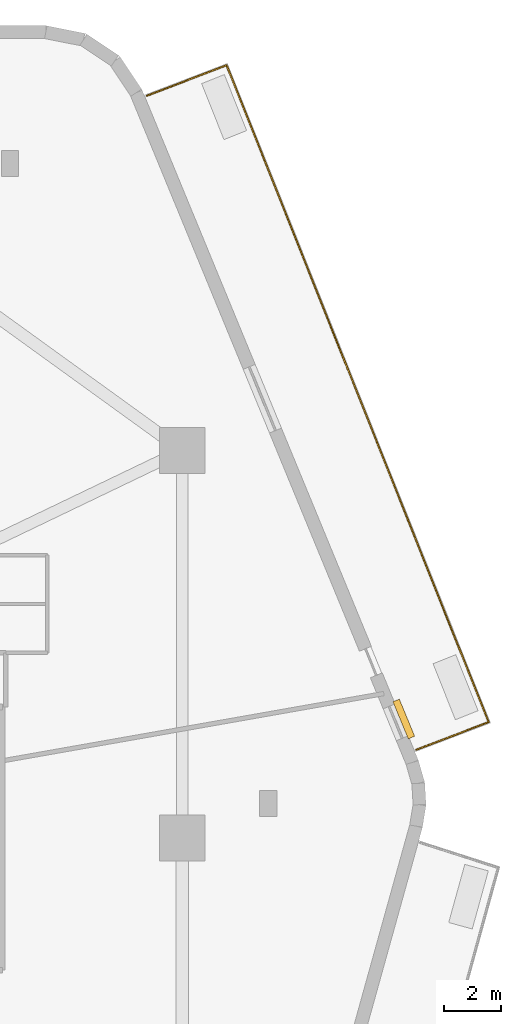
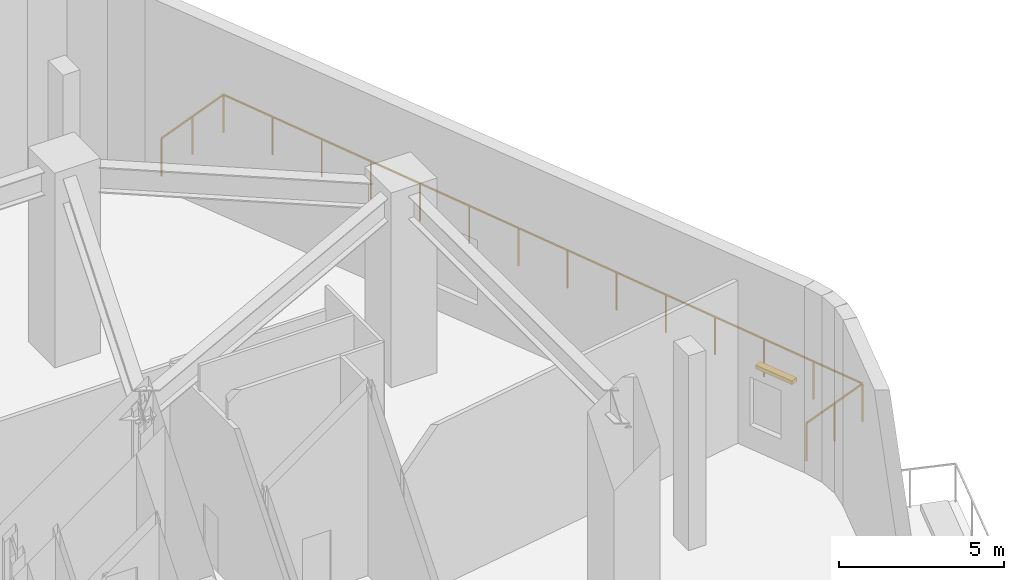
# One storey, part 17 of 17: 1 railing, 1 shading device.
"""IFC4 building model written with IfcOpenShell, lengths in metres."""

import ifcopenshell
import ifcopenshell.guid

model = None  # the IFC model being written
_history = None  # IfcOwnerHistory: only IFC2X3 demands one
_inside = {}  # id of a spatial element -> (the spatial element, [elements in it])
_under = {}  # id of a project, library or spatial element -> (it, [spatial elements below it])
_declared = {}  # id of a project -> (the project, [libraries it declares])
_typed = {}  # id of a type object -> (the type object, [elements of that type])
_made_of = {}  # id of a material, layer set ... -> (it, [elements and type objects made of it])


def new_model(schema):
    """Start an empty IFC model of exactly this schema.

    Asked for "IFC4X3", IfcOpenShell would pick the latest addendum, in which some entities
    have other attributes; the version numbers below select the first issue.
    IFC2X3 requires an IfcOwnerHistory on every rooted entity: one is made here for all.
    """
    global model, _history
    if schema == "IFC4X3":
        model = ifcopenshell.file(schema_version=(4, 3, 0, 0))
    else:
        model = ifcopenshell.file(schema=schema)
    _inside.clear()
    _under.clear()
    _declared.clear()
    _typed.clear()
    _made_of.clear()
    _history = None
    if model.schema == "IFC2X3":
        org = make("IfcOrganization", Name="unknown")
        user = make(
            "IfcPersonAndOrganization",
            ThePerson=make("IfcPerson", FamilyName="unknown"),
            TheOrganization=org,
        )
        app = make(
            "IfcApplication",
            ApplicationDeveloper=org,
            Version="unknown",
            ApplicationFullName="unknown",
            ApplicationIdentifier="unknown",
        )
        _history = make(
            "IfcOwnerHistory",
            OwningUser=user,
            OwningApplication=app,
            ChangeAction="ADDED",
            CreationDate=0,
        )
    return model


def make(cls, **values):
    """One entity of the class cls with the attributes given. An attribute that is None is left unset."""
    return model.create_entity(
        cls, **{name: value for name, value in values.items() if value is not None}
    )


def rooted(cls, **values):
    """An entity with a GlobalId (a new one), such as an element, a storey or a relation."""
    return make(cls, GlobalId=ifcopenshell.guid.new(), OwnerHistory=_history, **values)


def si_unit(unit_type, name, prefix=None):
    """IfcSIUnit, for example si_unit("LENGTHUNIT", "METRE", prefix="MILLI")."""
    return make("IfcSIUnit", UnitType=unit_type, Prefix=prefix, Name=name)


def assignment(units):
    """IfcUnitAssignment: the units of a project."""
    return None if units is None else make("IfcUnitAssignment", Units=units)


def point(xyz):
    """IfcCartesianPoint."""
    return None if xyz is None else make("IfcCartesianPoint", Coordinates=xyz)


def direction(xyz):
    """IfcDirection."""
    return None if xyz is None else make("IfcDirection", DirectionRatios=xyz)


def frame(location, z_axis=None, x_axis=None):
    """IfcAxis2Placement3D, a coordinate frame: its origin and axes. An axis left out is left unset."""
    return make(
        "IfcAxis2Placement3D",
        Location=point(location),
        Axis=direction(z_axis),
        RefDirection=direction(x_axis),
    )


def frame_2d(location, x_axis=None):
    """IfcAxis2Placement2D, a coordinate frame in the plane: its origin and x axis."""
    return make(
        "IfcAxis2Placement2D", Location=point(location), RefDirection=direction(x_axis)
    )


def origin():
    """The frame at (0, 0, 0) with its axes left unset."""
    return frame((0.0, 0.0, 0.0))


def origin_2d():
    """The frame at (0, 0) in the plane with its x axis left unset."""
    return frame_2d((0.0, 0.0))


def place(relative_to, where):
    """IfcLocalPlacement: puts the frame where relative to a parent placement (None: the world)."""
    return make(
        "IfcLocalPlacement", PlacementRelTo=relative_to, RelativePlacement=where
    )


def context(
    kind, dimensions, precision=None, world=None, true_north=None, identifier=None
):
    """IfcGeometricRepresentationContext, for example the 3D "Model" context."""
    return make(
        "IfcGeometricRepresentationContext",
        ContextIdentifier=identifier,
        ContextType=kind,
        CoordinateSpaceDimension=dimensions,
        Precision=precision,
        WorldCoordinateSystem=world,
        TrueNorth=true_north,
    )


def subcontext(parent, identifier, kind, view, scale=None):
    """IfcGeometricRepresentationSubContext, for example "Body" below "Model"."""
    return make(
        "IfcGeometricRepresentationSubContext",
        ContextIdentifier=identifier,
        ContextType=kind,
        ParentContext=parent,
        TargetScale=scale,
        TargetView=view,
    )


def project(units=None, contexts=None):
    """IfcProject with its units and contexts."""
    return rooted(
        "IfcProject",
        Name="project",
        RepresentationContexts=contexts,
        UnitsInContext=assignment(units),
    )


def spatial(cls, under=None, at=None, **own):
    """A site, building, storey or space (cls), placed at a placement, below another one or the project."""
    s = rooted(cls, ObjectPlacement=at, **own)
    if under is not None:
        _under.setdefault(under.id(), (under, []))[1].append(s)
    return s


def profile(cls, at=None, kind="AREA", **sizes):
    """A parametric profile (cls). Its sizes go by their IFC names, for example OverallWidth=200.0."""
    return make(cls, ProfileType=kind, Position=at, **sizes)


def rectangle(**sizes):
    """IfcRectangleProfileDef."""
    return profile("IfcRectangleProfileDef", **sizes)


def extrude(swept, where, along, depth):
    """IfcExtrudedAreaSolid: the profile swept, set in the frame where, extruded along a direction by depth."""
    return make(
        "IfcExtrudedAreaSolid",
        SweptArea=swept,
        Position=where,
        ExtrudedDirection=direction(along),
        Depth=depth,
    )


def shape(context_of_items, identifier, shape_type, items):
    """IfcShapeRepresentation: the items that make up one representation, for example the "Body"."""
    return make(
        "IfcShapeRepresentation",
        ContextOfItems=context_of_items,
        RepresentationIdentifier=identifier,
        RepresentationType=shape_type,
        Items=items,
    )


def material(Name=None, Category=None):
    """IfcMaterial."""
    return make("IfcMaterial", Name=Name, Category=Category)


def layer(
    of_material, thickness, ventilated=None, Name=None, Category=None, Priority=None
):
    """IfcMaterialLayer: one layer of a wall or slab, of a material (None: an air gap)."""
    return make(
        "IfcMaterialLayer",
        Material=of_material,
        LayerThickness=thickness,
        IsVentilated=ventilated,
        Name=Name,
        Category=Category,
        Priority=Priority,
    )


def layer_set(layers, Name=None):
    """IfcMaterialLayerSet."""
    return make("IfcMaterialLayerSet", MaterialLayers=layers, LayerSetName=Name)


def made_of(thing, what):
    """Note that an element or type object is made of a material, layer set ...; save() writes the relation."""
    if what is not None:
        _made_of.setdefault(what.id(), (what, []))[1].append(thing)
    return thing


def type_object(cls, material=None, **own):
    """A type object (cls), such as IfcWallType, which elements share."""
    return made_of(rooted(cls, **own), material)


def element(
    cls,
    number,
    at=None,
    inside=None,
    cuts=None,
    type_object=None,
    material=None,
    context=None,
    identifier="Body",
    shape_type=None,
    held_by="IfcProductDefinitionShape",
    body=None,
    shapes=None,
    **own,
):
    """One element of the class cls, such as IfcWall. Its Tag is "e" and its number.

    at: its placement. inside: the storey or other place that contains it. cuts: it is an
    opening in that element (IfcRelVoidsElement). A single representation is given by context,
    identifier, shape_type and body (its items); several are given by shapes. held_by: the class
    of the entity that holds the representations. save() writes the other relations.
    """
    e = rooted(cls, Tag="e%d" % number, ObjectPlacement=at, **own)
    if body is not None:
        shapes = [shape(context, identifier, shape_type, body)]
    if shapes is not None:
        e.Representation = make(held_by, Representations=shapes)
    if inside is not None:
        _inside.setdefault(inside.id(), (inside, []))[1].append(e)
    if cuts is not None:
        rooted(
            "IfcRelVoidsElement", RelatingBuildingElement=cuts, RelatedOpeningElement=e
        )
    if type_object is not None:
        _typed.setdefault(type_object.id(), (type_object, []))[1].append(e)
    return made_of(e, material)


def aggregate(whole, parts):
    """IfcRelAggregates: a whole, such as a stair, and the parts it consists of."""
    return rooted("IfcRelAggregates", RelatingObject=whole, RelatedObjects=parts)


def save(model, path):
    """Write the relations noted so far, then the file.

    IfcRelAggregates (storeys below a building ...), IfcRelContainedInSpatialStructure (elements
    in a storey), IfcRelDefinesByType, IfcRelAssociatesMaterial and IfcRelDeclares: one each for
    every whole, place, type object, material and project.
    """
    for whole, parts in _under.values():
        aggregate(whole, parts)
    for where, things in _inside.values():
        rooted(
            "IfcRelContainedInSpatialStructure",
            RelatedElements=things,
            RelatingStructure=where,
        )
    for kind, things in _typed.values():
        rooted("IfcRelDefinesByType", RelatedObjects=things, RelatingType=kind)
    for what, things in _made_of.values():
        rooted("IfcRelAssociatesMaterial", RelatedObjects=things, RelatingMaterial=what)
    for by, libraries in _declared.values():
        rooted("IfcRelDeclares", RelatingContext=by, RelatedDefinitions=libraries)
    model.write(path)


model = new_model("IFC4")

# Units and contexts
model_context = context("Model", 3, precision=1e-05, world=origin(), true_north=direction((0.0, 1.0)))
body_context = subcontext(model_context, "Body", "Model", "MODEL_VIEW")
ifc_project = project(units=[si_unit("LENGTHUNIT", "METRE"), si_unit("AREAUNIT", "SQUARE_METRE"), si_unit("VOLUMEUNIT", "CUBIC_METRE"), si_unit("PLANEANGLEUNIT", "RADIAN"), si_unit("MASSUNIT", "GRAM", prefix="KILO")], contexts=[model_context])

# Site, building, storey
site_placement = place(None, origin())
site = spatial("IfcSite", under=ifc_project, at=site_placement, CompositionType="ELEMENT")
building_placement = place(site_placement, origin())
building = spatial("IfcBuilding", under=site, at=building_placement, Name="Kilnhurst Terrace Hotel", CompositionType="ELEMENT")
storey_placement = place(building_placement, frame((0.0, 0.0, 11.39990234375)))
storey = spatial("IfcBuildingStorey", under=building, at=storey_placement, Name="L02", CompositionType="ELEMENT", Elevation=11.39990234375)

# Railing
ifc_material_1 = material(Name="Laminated SentryGlas and Stainless Steel AISI 316L Balustrade", Category="steel")
ifc_layer_1 = layer(ifc_material_1, 0.070068359375, Name="Laminated SentryGlas and Stainless Steel AISI 316L Balustrade")
ifc_layer_set_1 = layer_set([ifc_layer_1], Name="Laminated SentryGlas and Stainless Steel AISI 316L Balustrade")
railing_type = type_object("IfcRailingType", Name="RLG-BAL-1420", PredefinedType="BALUSTRADE", material=ifc_layer_set_1)
railing_placement = place(storey_placement, frame((20.268310546875, 25.862548828125, 0.0)))
element("IfcRailing", 1, at=railing_placement, inside=storey, type_object=railing_type, Name="L02 Exterior Terrace Guardrail TERR-2.1", PredefinedType="BALUSTRADE", context=body_context, shape_type="SweptSolid", body=[
    extrude(rectangle(XDim=0.048095703125, YDim=0.048095703125, at=origin_2d()), frame((0.0, 0.0, 1.39599609375), z_axis=(0.934223362199, 0.356688532926, 0.0), x_axis=(-0.356688532926, 0.934223362199, 0.0)), (0.0, 0.0, 1.0), 2.97265625),
    extrude(rectangle(XDim=0.048095703125, YDim=0.048095703125, at=origin_2d()), frame((2.777099609375, 1.060302734375, 1.39599609375), z_axis=(0.37053816139, -0.928817243032, 0.0), x_axis=(0.928817243032, 0.37053816139, 0.0)), (0.0, 0.0, 1.0), 24.642822265625),
    extrude(rectangle(XDim=0.048095703125, YDim=0.048095703125, at=origin_2d()), frame((11.908203125, -21.828369140625, 1.39599609375), z_axis=(-0.934244754769, -0.35663249738, 0.0), x_axis=(0.35663249738, -0.934244754769, 0.0)), (0.0, 0.0, 1.0), 2.6923828125),
    extrude(rectangle(XDim=0.0419921875, YDim=0.0419921875, at=origin_2d()), origin(), (0.0, 0.0, 1.0), 1.371826171875),
    extrude(rectangle(XDim=0.0419921875, YDim=0.0419921875, at=origin_2d()), frame((1.388671875, 0.5302734375, 0.0)), (0.0, 0.0, 1.0), 1.371826171875),
    extrude(rectangle(XDim=0.0419921875, YDim=0.0419921875, at=origin_2d()), frame((2.777099609375, 1.060302734375, 0.0)), (0.0, 0.0, 1.0), 1.371826171875),
    extrude(rectangle(XDim=0.0419921875, YDim=0.0419921875, at=origin_2d()), frame((3.4794921875, -0.700439453125, 0.0)), (0.0, 0.0, 1.0), 1.371826171875),
    extrude(rectangle(XDim=0.0419921875, YDim=0.0419921875, at=origin_2d()), frame((4.181884765625, -2.4609375, 0.0)), (0.0, 0.0, 1.0), 1.371826171875),
    extrude(rectangle(XDim=0.0419921875, YDim=0.0419921875, at=origin_2d()), frame((4.88427734375, -4.2216796875, 0.0)), (0.0, 0.0, 1.0), 1.371826171875),
    extrude(rectangle(XDim=0.0419921875, YDim=0.0419921875, at=origin_2d()), frame((5.586669921875, -5.982421875, 0.0)), (0.0, 0.0, 1.0), 1.371826171875),
    extrude(rectangle(XDim=0.0419921875, YDim=0.0419921875, at=origin_2d()), frame((6.2890625, -7.742919921875, 0.0)), (0.0, 0.0, 1.0), 1.371826171875),
    extrude(rectangle(XDim=0.0419921875, YDim=0.0419921875, at=origin_2d()), frame((6.991455078125, -9.503662109375, 0.0)), (0.0, 0.0, 1.0), 1.371826171875),
    extrude(rectangle(XDim=0.0419921875, YDim=0.0419921875, at=origin_2d()), frame((7.69384765625, -11.264404296875, 0.0)), (0.0, 0.0, 1.0), 1.371826171875),
    extrude(rectangle(XDim=0.0419921875, YDim=0.0419921875, at=origin_2d()), frame((8.396240234375, -13.025146484375, 0.0)), (0.0, 0.0, 1.0), 1.371826171875),
    extrude(rectangle(XDim=0.0419921875, YDim=0.0419921875, at=origin_2d()), frame((9.0986328125, -14.78564453125, 0.0)), (0.0, 0.0, 1.0), 1.371826171875),
    extrude(rectangle(XDim=0.0419921875, YDim=0.0419921875, at=origin_2d()), frame((9.801025390625, -16.54638671875, 0.0)), (0.0, 0.0, 1.0), 1.371826171875),
    extrude(rectangle(XDim=0.0419921875, YDim=0.0419921875, at=origin_2d()), frame((10.50341796875, -18.30712890625, 0.0)), (0.0, 0.0, 1.0), 1.371826171875),
    extrude(rectangle(XDim=0.0419921875, YDim=0.0419921875, at=origin_2d()), frame((11.205810546875, -20.067626953125, 0.0)), (0.0, 0.0, 1.0), 1.371826171875),
    extrude(rectangle(XDim=0.0419921875, YDim=0.0419921875, at=origin_2d()), frame((11.908203125, -21.828369140625, 0.0)), (0.0, 0.0, 1.0), 1.371826171875),
    extrude(rectangle(XDim=0.0419921875, YDim=0.0419921875, at=origin_2d()), frame((10.650390625, -22.30859375, 0.0)), (0.0, 0.0, 1.0), 1.371826171875),
    extrude(rectangle(XDim=0.0419921875, YDim=0.0419921875, at=origin_2d()), frame((9.392822265625, -22.78857421875, 0.0)), (0.0, 0.0, 1.0), 1.371826171875),
])

# Shading device
ifc_material_2 = material(Name="Terracotta Baguette Sunshade on Aluminium Alloy 6063-T6", Category="masonry")
ifc_layer_2 = layer(ifc_material_2, 0.199951171875, Name="Terracotta Baguette Sunshade on Aluminium Alloy 6063-T6")
ifc_layer_set_2 = layer_set([ifc_layer_2], Name="Terracotta Baguette Sunshade on Aluminium Alloy 6063-T6")
shading_device_type = type_object("IfcShadingDeviceType", Name="SHD-SUN-200", PredefinedType="JALOUSIE", material=ifc_layer_set_2)
shading_device_placement = place(storey_placement, frame((29.22021484375, 4.1435546875, 2.68017578125), z_axis=(0.0, 0.0, 1.0), x_axis=(-0.38107037635, 0.924546033612, 0.0)))
element("IfcShadingDevice", 2, at=shading_device_placement, inside=storey, type_object=shading_device_type, Name="L02 Terracotta Window Sunshade F3.1", PredefinedType="JALOUSIE", context=body_context, shape_type="SweptSolid", body=[
    extrude(rectangle(XDim=1.39990234375, YDim=0.239990234375, at=origin_2d()), origin(), (0.0, 0.0, 1.0), 0.139892578125),
])

save(model, "model.ifc")
